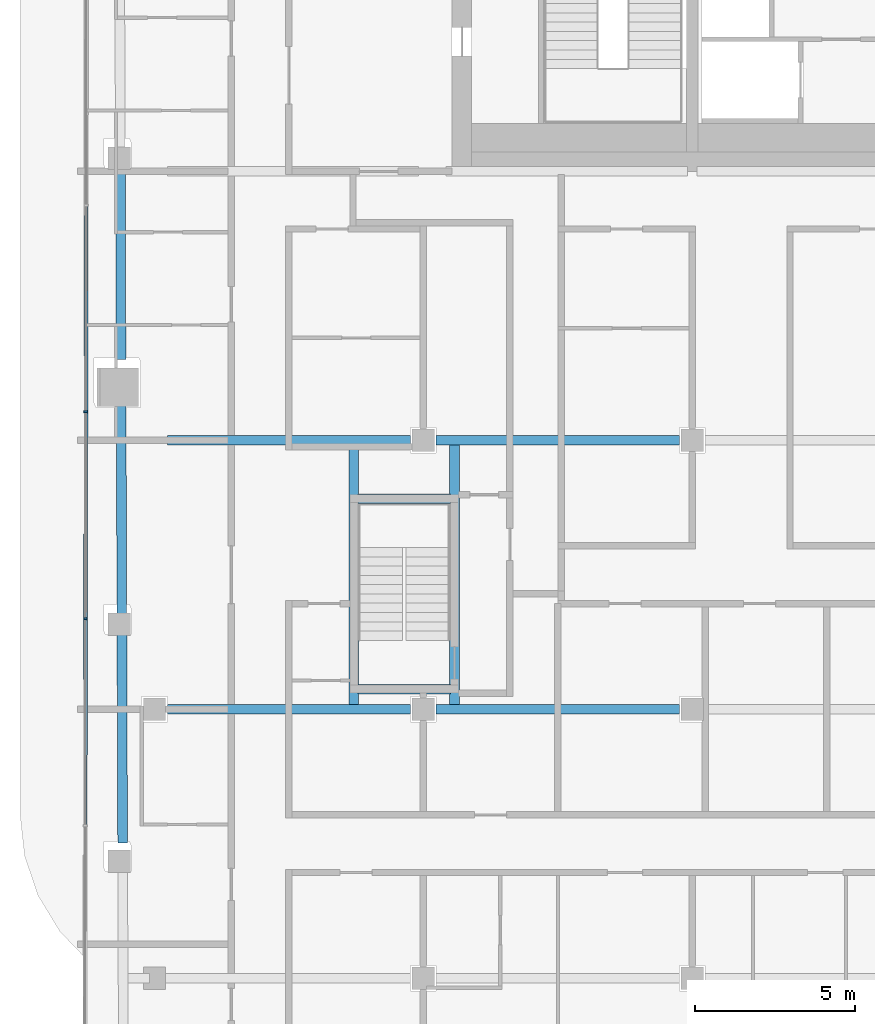
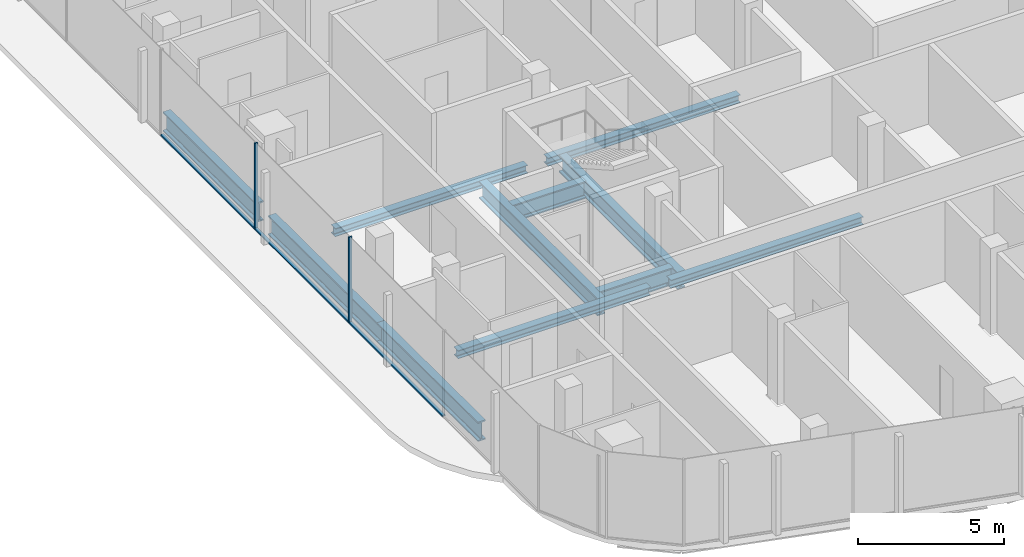
# One storey, part 4 of 21: 11 beams, 5 members, 1 element without a shape of its own.
"""IFC4 building model written with IfcOpenShell, lengths in metres."""

import ifcopenshell
import ifcopenshell.guid

model = None  # the IFC model being written
_history = None  # IfcOwnerHistory: only IFC2X3 demands one
_inside = {}  # id of a spatial element -> (the spatial element, [elements in it])
_under = {}  # id of a project, library or spatial element -> (it, [spatial elements below it])
_declared = {}  # id of a project -> (the project, [libraries it declares])
_typed = {}  # id of a type object -> (the type object, [elements of that type])
_made_of = {}  # id of a material, layer set ... -> (it, [elements and type objects made of it])


def new_model(schema):
    """Start an empty IFC model of exactly this schema.

    Asked for "IFC4X3", IfcOpenShell would pick the latest addendum, in which some entities
    have other attributes; the version numbers below select the first issue.
    IFC2X3 requires an IfcOwnerHistory on every rooted entity: one is made here for all.
    """
    global model, _history
    if schema == "IFC4X3":
        model = ifcopenshell.file(schema_version=(4, 3, 0, 0))
    else:
        model = ifcopenshell.file(schema=schema)
    _inside.clear()
    _under.clear()
    _declared.clear()
    _typed.clear()
    _made_of.clear()
    _history = None
    if model.schema == "IFC2X3":
        org = make("IfcOrganization", Name="unknown")
        user = make(
            "IfcPersonAndOrganization",
            ThePerson=make("IfcPerson", FamilyName="unknown"),
            TheOrganization=org,
        )
        app = make(
            "IfcApplication",
            ApplicationDeveloper=org,
            Version="unknown",
            ApplicationFullName="unknown",
            ApplicationIdentifier="unknown",
        )
        _history = make(
            "IfcOwnerHistory",
            OwningUser=user,
            OwningApplication=app,
            ChangeAction="ADDED",
            CreationDate=0,
        )
    return model


def make(cls, **values):
    """One entity of the class cls with the attributes given. An attribute that is None is left unset."""
    return model.create_entity(
        cls, **{name: value for name, value in values.items() if value is not None}
    )


def rooted(cls, **values):
    """An entity with a GlobalId (a new one), such as an element, a storey or a relation."""
    return make(cls, GlobalId=ifcopenshell.guid.new(), OwnerHistory=_history, **values)


def si_unit(unit_type, name, prefix=None):
    """IfcSIUnit, for example si_unit("LENGTHUNIT", "METRE", prefix="MILLI")."""
    return make("IfcSIUnit", UnitType=unit_type, Prefix=prefix, Name=name)


def assignment(units):
    """IfcUnitAssignment: the units of a project."""
    return None if units is None else make("IfcUnitAssignment", Units=units)


def point(xyz):
    """IfcCartesianPoint."""
    return None if xyz is None else make("IfcCartesianPoint", Coordinates=xyz)


def direction(xyz):
    """IfcDirection."""
    return None if xyz is None else make("IfcDirection", DirectionRatios=xyz)


def frame(location, z_axis=None, x_axis=None):
    """IfcAxis2Placement3D, a coordinate frame: its origin and axes. An axis left out is left unset."""
    return make(
        "IfcAxis2Placement3D",
        Location=point(location),
        Axis=direction(z_axis),
        RefDirection=direction(x_axis),
    )


def frame_2d(location, x_axis=None):
    """IfcAxis2Placement2D, a coordinate frame in the plane: its origin and x axis."""
    return make(
        "IfcAxis2Placement2D", Location=point(location), RefDirection=direction(x_axis)
    )


def origin():
    """The frame at (0, 0, 0) with its axes left unset."""
    return frame((0.0, 0.0, 0.0))


def origin_2d():
    """The frame at (0, 0) in the plane with its x axis left unset."""
    return frame_2d((0.0, 0.0))


def place(relative_to, where):
    """IfcLocalPlacement: puts the frame where relative to a parent placement (None: the world)."""
    return make(
        "IfcLocalPlacement", PlacementRelTo=relative_to, RelativePlacement=where
    )


def context(
    kind, dimensions, precision=None, world=None, true_north=None, identifier=None
):
    """IfcGeometricRepresentationContext, for example the 3D "Model" context."""
    return make(
        "IfcGeometricRepresentationContext",
        ContextIdentifier=identifier,
        ContextType=kind,
        CoordinateSpaceDimension=dimensions,
        Precision=precision,
        WorldCoordinateSystem=world,
        TrueNorth=true_north,
    )


def subcontext(parent, identifier, kind, view, scale=None):
    """IfcGeometricRepresentationSubContext, for example "Body" below "Model"."""
    return make(
        "IfcGeometricRepresentationSubContext",
        ContextIdentifier=identifier,
        ContextType=kind,
        ParentContext=parent,
        TargetScale=scale,
        TargetView=view,
    )


def project(units=None, contexts=None):
    """IfcProject with its units and contexts."""
    return rooted(
        "IfcProject",
        Name="project",
        RepresentationContexts=contexts,
        UnitsInContext=assignment(units),
    )


def spatial(cls, under=None, at=None, **own):
    """A site, building, storey or space (cls), placed at a placement, below another one or the project."""
    s = rooted(cls, ObjectPlacement=at, **own)
    if under is not None:
        _under.setdefault(under.id(), (under, []))[1].append(s)
    return s


def profile(cls, at=None, kind="AREA", **sizes):
    """A parametric profile (cls). Its sizes go by their IFC names, for example OverallWidth=200.0."""
    return make(cls, ProfileType=kind, Position=at, **sizes)


def rectangle(**sizes):
    """IfcRectangleProfileDef."""
    return profile("IfcRectangleProfileDef", **sizes)


def i_section(**sizes):
    """IfcIShapeProfileDef."""
    return profile("IfcIShapeProfileDef", **sizes)


def extrude(swept, where, along, depth):
    """IfcExtrudedAreaSolid: the profile swept, set in the frame where, extruded along a direction by depth."""
    return make(
        "IfcExtrudedAreaSolid",
        SweptArea=swept,
        Position=where,
        ExtrudedDirection=direction(along),
        Depth=depth,
    )


def shape(context_of_items, identifier, shape_type, items):
    """IfcShapeRepresentation: the items that make up one representation, for example the "Body"."""
    return make(
        "IfcShapeRepresentation",
        ContextOfItems=context_of_items,
        RepresentationIdentifier=identifier,
        RepresentationType=shape_type,
        Items=items,
    )


def material(Name=None, Category=None):
    """IfcMaterial."""
    return make("IfcMaterial", Name=Name, Category=Category)


def layer(
    of_material, thickness, ventilated=None, Name=None, Category=None, Priority=None
):
    """IfcMaterialLayer: one layer of a wall or slab, of a material (None: an air gap)."""
    return make(
        "IfcMaterialLayer",
        Material=of_material,
        LayerThickness=thickness,
        IsVentilated=ventilated,
        Name=Name,
        Category=Category,
        Priority=Priority,
    )


def layer_set(layers, Name=None):
    """IfcMaterialLayerSet."""
    return make("IfcMaterialLayerSet", MaterialLayers=layers, LayerSetName=Name)


def material_profile(
    of_material, cross_section, Name=None, Category=None, Priority=None
):
    """IfcMaterialProfile: a cross section and its material."""
    return make(
        "IfcMaterialProfile",
        Name=Name,
        Material=of_material,
        Profile=cross_section,
        Priority=Priority,
        Category=Category,
    )


def profile_set(profiles, Name=None, composite=None):
    """IfcMaterialProfileSet."""
    return make(
        "IfcMaterialProfileSet",
        Name=Name,
        MaterialProfiles=profiles,
        CompositeProfile=composite,
    )


def made_of(thing, what):
    """Note that an element or type object is made of a material, layer set ...; save() writes the relation."""
    if what is not None:
        _made_of.setdefault(what.id(), (what, []))[1].append(thing)
    return thing


def type_object(cls, material=None, **own):
    """A type object (cls), such as IfcWallType, which elements share."""
    return made_of(rooted(cls, **own), material)


def element(
    cls,
    number,
    at=None,
    inside=None,
    cuts=None,
    type_object=None,
    material=None,
    context=None,
    identifier="Body",
    shape_type=None,
    held_by="IfcProductDefinitionShape",
    body=None,
    shapes=None,
    **own,
):
    """One element of the class cls, such as IfcWall. Its Tag is "e" and its number.

    at: its placement. inside: the storey or other place that contains it. cuts: it is an
    opening in that element (IfcRelVoidsElement). A single representation is given by context,
    identifier, shape_type and body (its items); several are given by shapes. held_by: the class
    of the entity that holds the representations. save() writes the other relations.
    """
    e = rooted(cls, Tag="e%d" % number, ObjectPlacement=at, **own)
    if body is not None:
        shapes = [shape(context, identifier, shape_type, body)]
    if shapes is not None:
        e.Representation = make(held_by, Representations=shapes)
    if inside is not None:
        _inside.setdefault(inside.id(), (inside, []))[1].append(e)
    if cuts is not None:
        rooted(
            "IfcRelVoidsElement", RelatingBuildingElement=cuts, RelatedOpeningElement=e
        )
    if type_object is not None:
        _typed.setdefault(type_object.id(), (type_object, []))[1].append(e)
    return made_of(e, material)


def aggregate(whole, parts):
    """IfcRelAggregates: a whole, such as a stair, and the parts it consists of."""
    return rooted("IfcRelAggregates", RelatingObject=whole, RelatedObjects=parts)


def save(model, path):
    """Write the relations noted so far, then the file.

    IfcRelAggregates (storeys below a building ...), IfcRelContainedInSpatialStructure (elements
    in a storey), IfcRelDefinesByType, IfcRelAssociatesMaterial and IfcRelDeclares: one each for
    every whole, place, type object, material and project.
    """
    for whole, parts in _under.values():
        aggregate(whole, parts)
    for where, things in _inside.values():
        rooted(
            "IfcRelContainedInSpatialStructure",
            RelatedElements=things,
            RelatingStructure=where,
        )
    for kind, things in _typed.values():
        rooted("IfcRelDefinesByType", RelatedObjects=things, RelatingType=kind)
    for what, things in _made_of.values():
        rooted("IfcRelAssociatesMaterial", RelatedObjects=things, RelatingMaterial=what)
    for by, libraries in _declared.values():
        rooted("IfcRelDeclares", RelatingContext=by, RelatedDefinitions=libraries)
    model.write(path)


model = new_model("IFC4")

# Units and contexts
model_context = context("Model", 3, precision=1e-05, world=origin(), true_north=direction((0.0, 1.0)))
body_context = subcontext(model_context, "Body", "Model", "MODEL_VIEW")
ifc_project = project(units=[si_unit("LENGTHUNIT", "METRE"), si_unit("AREAUNIT", "SQUARE_METRE"), si_unit("VOLUMEUNIT", "CUBIC_METRE"), si_unit("PLANEANGLEUNIT", "RADIAN"), si_unit("MASSUNIT", "GRAM", prefix="KILO")], contexts=[model_context])

# Site, building, storey
site_placement = place(None, origin())
site = spatial("IfcSite", under=ifc_project, at=site_placement, CompositionType="ELEMENT")
building_placement = place(site_placement, origin())
building = spatial("IfcBuilding", under=site, at=building_placement, Name="Marenta Gate Hotel Tower", CompositionType="ELEMENT")
storey_placement = place(building_placement, frame((0.0, 0.0, 266.89990234375)))
storey = spatial("IfcBuildingStorey", under=building, at=storey_placement, Name="L61", CompositionType="ELEMENT", Elevation=266.89990234375)

# Beams
ifc_material_1 = material(Name="Steel S355", Category="steel")
ifc_material_profile_1 = material_profile(ifc_material_1, i_section(OverallWidth=0.302978515625, OverallDepth=0.81396484375, WebThickness=0.030029296875, FlangeThickness=0.052001953125, FilletRadius=0.030029296875, at=origin_2d()), Name="HEM 800")
ifc_profile_set_1 = profile_set([ifc_material_profile_1], Name="Steel S355")
beam_type_1 = type_object("IfcBeamType", Name="Edge beam HEM 800", PredefinedType="SPANDREL", material=ifc_profile_set_1)
beam_1_placement = place(storey_placement, frame((-21.994384765625, -20.97412109375, -0.6669921875), z_axis=(-0.003343630155, 0.999994410053, 0.0), x_axis=(-0.999994410053, -0.003343630155, 0.0)))
element("IfcBeam", 1, at=beam_1_placement, inside=storey, type_object=beam_type_1, Name="L61-EB-6", PredefinedType="SPANDREL", context=body_context, shape_type="SweptSolid", body=[
    extrude(i_section(OverallWidth=0.302978515625, OverallDepth=0.81396484375, WebThickness=0.030029296875, FlangeThickness=0.052001953125, FilletRadius=0.030029296875, at=origin_2d()), origin(), (0.0, 0.0, 1.0), 6.863525390625),
])
beam_2_placement = place(storey_placement, frame((-22.01708984375, -14.190673828125, -0.6669921875), z_axis=(-0.003328745999, 0.99999445971, 0.0), x_axis=(-0.99999445971, -0.003328745999, 0.0)))
element("IfcBeam", 2, at=beam_2_placement, inside=storey, type_object=beam_type_1, Name="L61-EB-7", PredefinedType="SPANDREL", context=body_context, shape_type="SweptSolid", body=[
    extrude(i_section(OverallWidth=0.302978515625, OverallDepth=0.81396484375, WebThickness=0.030029296875, FlangeThickness=0.052001953125, FilletRadius=0.030029296875, at=origin_2d()), origin(), (0.0, 0.0, 1.0), 7.48095703125),
])
beam_3_placement = place(storey_placement, frame((-22.044677734375, -5.872314453125, -0.6669921875), z_axis=(-0.003324424012, 0.999994474087, 0.0), x_axis=(-0.999994474087, -0.003324424012, 0.0)))
element("IfcBeam", 3, at=beam_3_placement, inside=storey, type_object=beam_type_1, Name="L61-EB-8", PredefinedType="SPANDREL", context=body_context, shape_type="SweptSolid", body=[
    extrude(i_section(OverallWidth=0.302978515625, OverallDepth=0.81396484375, WebThickness=0.030029296875, FlangeThickness=0.052001953125, FilletRadius=0.030029296875, at=origin_2d()), origin(), (0.0, 0.0, 1.0), 6.315673828125),
])
ifc_material_2 = material(Name="Steel S355", Category="steel")
ifc_material_profile_2 = material_profile(ifc_material_2, i_section(OverallWidth=0.300048828125, OverallDepth=0.340087890625, WebThickness=0.011962890625, FlangeThickness=0.021484375, FilletRadius=0.027099609375, at=origin_2d()), Name="HEB 340")
ifc_profile_set_2 = profile_set([ifc_material_profile_2], Name="Steel S355")
beam_type_2 = type_object("IfcBeamType", Name="Girder HEB 340", PredefinedType="BEAM", material=ifc_profile_set_2)
beam_4_placement = place(storey_placement, frame((-20.60009765625, -16.800048828125, -0.429931640625), z_axis=(1.0, 0.0, 0.0), x_axis=(0.0, 1.0, 0.0)))
element("IfcBeam", 4, at=beam_4_placement, inside=storey, type_object=beam_type_2, Name="L61-GD-7", PredefinedType="BEAM", context=body_context, shape_type="SweptSolid", body=[
    extrude(i_section(OverallWidth=0.300048828125, OverallDepth=0.340087890625, WebThickness=0.011962890625, FlangeThickness=0.021484375, FilletRadius=0.027099609375, at=origin_2d()), origin(), (0.0, 0.0, 1.0), 7.60009765625),
])
beam_5_placement = place(storey_placement, frame((-12.199951171875, -16.800048828125, -0.429931640625), z_axis=(1.0, 0.0, 0.0), x_axis=(0.0, 1.0, 0.0)))
element("IfcBeam", 5, at=beam_5_placement, inside=storey, type_object=beam_type_2, Name="L61-GD-8", PredefinedType="BEAM", context=body_context, shape_type="SweptSolid", body=[
    extrude(i_section(OverallWidth=0.300048828125, OverallDepth=0.340087890625, WebThickness=0.011962890625, FlangeThickness=0.021484375, FilletRadius=0.027099609375, at=origin_2d()), origin(), (0.0, 0.0, 1.0), 7.599853515625),
])
beam_6_placement = place(storey_placement, frame((-20.60009765625, -8.39990234375, -0.429931640625), z_axis=(1.0, 0.0, 0.0), x_axis=(0.0, 1.0, 0.0)))
element("IfcBeam", 6, at=beam_6_placement, inside=storey, type_object=beam_type_2, Name="L61-GD-12", PredefinedType="BEAM", context=body_context, shape_type="SweptSolid", body=[
    extrude(i_section(OverallWidth=0.300048828125, OverallDepth=0.340087890625, WebThickness=0.011962890625, FlangeThickness=0.021484375, FilletRadius=0.027099609375, at=origin_2d()), origin(), (0.0, 0.0, 1.0), 7.60009765625),
])
beam_7_placement = place(storey_placement, frame((-12.199951171875, -8.39990234375, -0.429931640625), z_axis=(1.0, 0.0, 0.0), x_axis=(0.0, 1.0, 0.0)))
element("IfcBeam", 7, at=beam_7_placement, inside=storey, type_object=beam_type_2, Name="L61-GD-13", PredefinedType="BEAM", context=body_context, shape_type="SweptSolid", body=[
    extrude(i_section(OverallWidth=0.300048828125, OverallDepth=0.340087890625, WebThickness=0.011962890625, FlangeThickness=0.021484375, FilletRadius=0.027099609375, at=origin_2d()), origin(), (0.0, 0.0, 1.0), 7.599853515625),
])

# Curtain wall, members
ifc_material_3 = material(Name="Tinted insulated glass in bronze anodised frame", Category="glass")
ifc_layer = layer(ifc_material_3, 0.1201171875)
ifc_layer_set = layer_set([ifc_layer], Name="Tinted insulated glass in bronze anodised frame")
curtain_wall_type = type_object("IfcCurtainWallType", Name="Tower unitised curtain wall CW1", PredefinedType="NOTDEFINED", material=ifc_layer_set)
curtain_wall_placement = place(storey_placement, origin())
curtain_wall = element("IfcCurtainWall", 8, at=curtain_wall_placement, inside=storey, type_object=curtain_wall_type, Name="CW1 run G03", PredefinedType="NOTDEFINED")
ifc_material_4 = material(Name="Bronze anodised aluminium", Category="aluminium")
ifc_material_profile_3 = material_profile(ifc_material_4, rectangle(XDim=0.1201171875, YDim=0.06005859375, at=origin_2d()), Name="Mullion CW1 60x120 bronze anodised aluminium")
ifc_profile_set_3 = profile_set([ifc_material_profile_3], Name="Bronze anodised aluminium")
member_type_1 = type_object("IfcMemberType", Name="Mullion CW1 60x120 bronze anodised aluminium", PredefinedType="MULLION", material=ifc_profile_set_3)
member_1_placement = place(storey_placement, frame((-23.142578125, -7.513916015625, 0.0), z_axis=(0.0, 0.0, 1.0), x_axis=(0.99999877375, -0.001566045546, 0.0)))
member_1 = element("IfcMember", 9, at=member_1_placement, type_object=member_type_1, Name="CW1 mullion 4", PredefinedType="MULLION", context=body_context, shape_type="SweptSolid", body=[
    extrude(rectangle(XDim=0.1201171875, YDim=0.06005859375, at=origin_2d()), origin(), (0.0, 0.0, 1.0), 3.60009765625),
])
member_2_placement = place(storey_placement, frame((-23.15283203125, -13.973876953125, 0.0), z_axis=(0.0, 0.0, 1.0), x_axis=(0.99999877375, -0.001566045546, 0.0)))
member_2 = element("IfcMember", 10, at=member_2_placement, type_object=member_type_1, Name="CW1 mullion 5", PredefinedType="MULLION", context=body_context, shape_type="SweptSolid", body=[
    extrude(rectangle(XDim=0.1201171875, YDim=0.06005859375, at=origin_2d()), origin(), (0.0, 0.0, 1.0), 3.60009765625),
])

# Beams
ifc_material_5 = material(Name="Steel S355", Category="steel")
ifc_material_profile_4 = material_profile(ifc_material_5, i_section(OverallWidth=0.303955078125, OverallDepth=0.716064453125, WebThickness=0.027099609375, FlangeThickness=0.048095703125, FilletRadius=0.027099609375, at=origin_2d()), Name="HEM 700")
ifc_profile_set_4 = profile_set([ifc_material_profile_4], Name="Steel S355")
beam_type_3 = type_object("IfcBeamType", Name="Stair wall transfer beam HEM 700", PredefinedType="BEAM", material=ifc_profile_set_4)
for number, where, z_axis, x_axis, name in (
    (11, (-14.77490234375, -16.64990234375, -0.617919921875), (0.0, 1.0, 0.0), (-1.0, 0.0, 0.0), "L61-XB-RS-Z4-2-a"),
    (12, (-11.625, -16.64990234375, -0.617919921875), (0.0, 1.0, 0.0), (-1.0, 0.0, 0.0), "L61-XB-RS-Z4-2-b"),
):
    element("IfcBeam", number, at=place(storey_placement, frame(where, z_axis=z_axis, x_axis=x_axis)), inside=storey, type_object=beam_type_3, Name=name, PredefinedType="BEAM", context=body_context, shape_type="SweptSolid", body=[
        extrude(i_section(OverallWidth=0.303955078125, OverallDepth=0.716064453125, WebThickness=0.027099609375, FlangeThickness=0.048095703125, FilletRadius=0.027099609375, at=origin_2d()), origin(), (0.0, 0.0, 1.0), 8.099853515625),
    ])
for number, where, z_axis, x_axis, name in (
    (13, (-14.64990234375, -16.175048828125, -0.617919921875), (1.0, 0.0, 0.0), (0.0, 1.0, 0.0), "L61-XB-RS-Z4-2-c"),
    (14, (-14.64990234375, -10.22509765625, -0.617919921875), (1.0, 0.0, 0.0), (0.0, 1.0, 0.0), "L61-XB-RS-Z4-2-d"),
):
    element("IfcBeam", number, at=place(storey_placement, frame(where, z_axis=z_axis, x_axis=x_axis)), inside=storey, type_object=beam_type_3, Name=name, PredefinedType="BEAM", context=body_context, shape_type="SweptSolid", body=[
        extrude(i_section(OverallWidth=0.303955078125, OverallDepth=0.716064453125, WebThickness=0.027099609375, FlangeThickness=0.048095703125, FilletRadius=0.027099609375, at=origin_2d()), origin(), (0.0, 0.0, 1.0), 2.89990234375),
    ])

# Member
ifc_material_6 = material(Name="Bronze anodised aluminium", Category="aluminium")
ifc_material_profile_5 = material_profile(ifc_material_6, rectangle(XDim=0.1201171875, YDim=0.06005859375, at=origin_2d()), Name="Transom CW1 60x120 bronze anodised aluminium")
ifc_profile_set_5 = profile_set([ifc_material_profile_5], Name="Bronze anodised aluminium")
member_type_2 = type_object("IfcMemberType", Name="Transom CW1 60x120 bronze anodised aluminium", PredefinedType="USERDEFINED", material=ifc_profile_set_5)
member_3_placement = place(storey_placement, frame((-23.132568359375, -1.083740234375, 0.030029296875), z_axis=(-0.001563988169, -0.99999877697, 0.0), x_axis=(0.99999877697, -0.001563988169, 0.0)))
member_3 = element("IfcMember", 15, at=member_3_placement, type_object=member_type_2, Name="CW1 transom 3.1", ObjectType="TRANSOM", PredefinedType="USERDEFINED", context=body_context, shape_type="SweptSolid", body=[
    extrude(rectangle(XDim=0.1201171875, YDim=0.06005859375, at=origin_2d()), origin(), (0.0, 0.0, 1.0), 6.400146484375),
])

member_4_placement = place(storey_placement, frame((-23.142578125, -7.543701171875, 0.030029296875), z_axis=(-0.001602134125, -0.999998716582, 0.0), x_axis=(0.999998716582, -0.001602134125, 0.0)))
member_4 = element("IfcMember", 16, at=member_4_placement, type_object=member_type_2, Name="CW1 transom 4.1", ObjectType="TRANSOM", PredefinedType="USERDEFINED", context=body_context, shape_type="SweptSolid", body=[
    extrude(rectangle(XDim=0.1201171875, YDim=0.06005859375, at=origin_2d()), origin(), (0.0, 0.0, 1.0), 6.400146484375),
])

member_5_placement = place(storey_placement, frame((-23.15283203125, -14.00390625, 0.030029296875), z_axis=(-0.001564047831, -0.999998776876, 0.0), x_axis=(0.999998776876, -0.001564047831, 0.0)))
member_5 = element("IfcMember", 17, at=member_5_placement, type_object=member_type_2, Name="CW1 transom 5.1", ObjectType="TRANSOM", PredefinedType="USERDEFINED", context=body_context, shape_type="SweptSolid", body=[
    extrude(rectangle(XDim=0.1201171875, YDim=0.06005859375, at=origin_2d()), origin(), (0.0, 0.0, 1.0), 6.39990234375),
])

aggregate(curtain_wall, [member_1, member_2, member_3, member_4, member_5])

save(model, "model.ifc")
